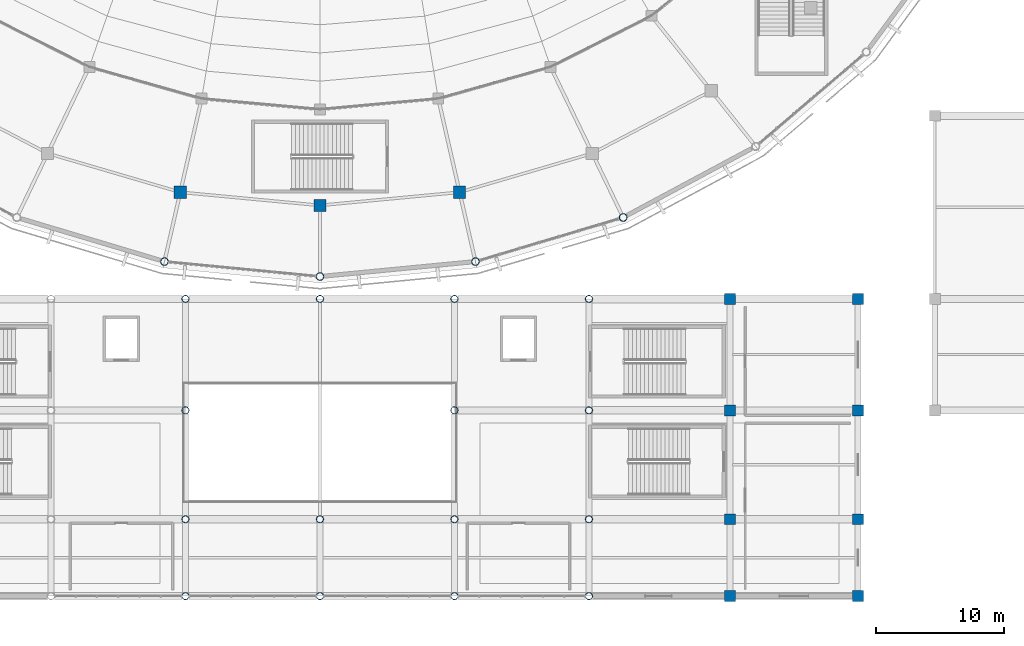
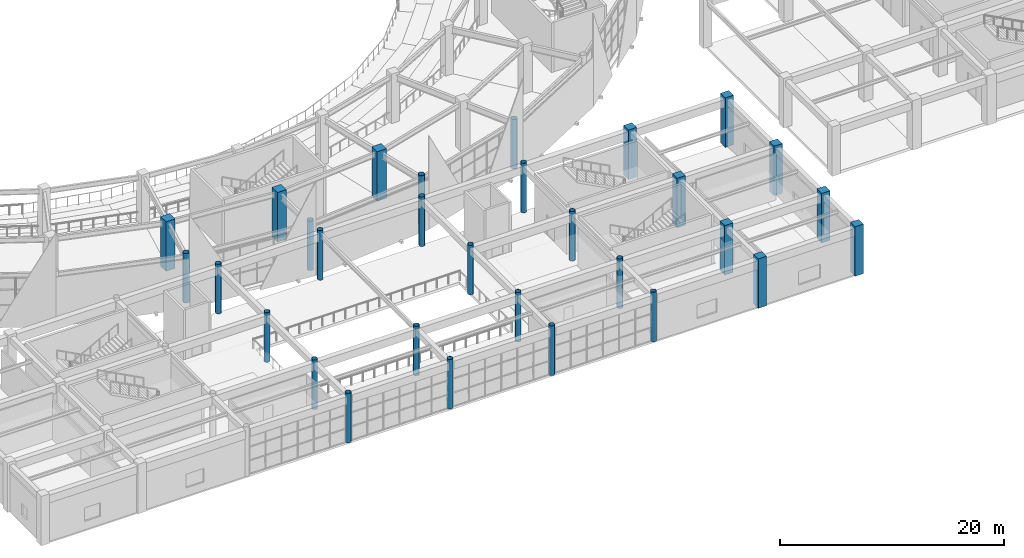
# One storey, part 4 of 120: 30 columns.
"""IFC4 building model written with IfcOpenShell, lengths in metres."""

from ifc_helpers import new_model, si_unit, direction, frame, origin, origin_2d, place, context, subcontext, project, spatial, rectangle, hollow_circle, extrude, material, material_profile, profile_set, type_object, element, save


model = new_model("IFC4")

# Units and contexts
model_context = context("Model", 3, precision=1e-05, world=origin(), true_north=direction((0.0, 1.0)))
body_context = subcontext(model_context, "Body", "Model", "MODEL_VIEW")
ifc_project = project(units=[si_unit("LENGTHUNIT", "METRE"), si_unit("AREAUNIT", "SQUARE_METRE"), si_unit("VOLUMEUNIT", "CUBIC_METRE"), si_unit("PLANEANGLEUNIT", "RADIAN"), si_unit("MASSUNIT", "GRAM", prefix="KILO")], contexts=[model_context])

# Site, building, storey
site_placement = place(None, origin())
site = spatial("IfcSite", under=ifc_project, at=site_placement, CompositionType="ELEMENT")
building_placement = place(site_placement, origin())
building = spatial("IfcBuilding", under=site, at=building_placement, Name="Cuetzalor Civic Arena", CompositionType="ELEMENT")
storey_placement = place(building_placement, frame((0.0, 0.0, 6.0)))
storey = spatial("IfcBuildingStorey", under=building, at=storey_placement, Name="L01", CompositionType="ELEMENT", Elevation=6.0)

# Columns
ifc_material_1 = material(Name="Concrete C40/50", Category="concrete")
ifc_material_profile_1 = material_profile(ifc_material_1, rectangle(XDim=0.85009765625, YDim=0.85009765625, at=origin_2d()), Name="RC 850x850")
ifc_profile_set_1 = profile_set([ifc_material_profile_1], Name="Concrete C40/50")
column_type_1 = type_object("IfcColumnType", Name="ConcreteColumn_850", PredefinedType="COLUMN", material=ifc_profile_set_1)
for number, where, z_axis, x_axis, name in (
    (1, (32.0, -71.5, 0.0), (0.0, 0.0, 1.0), (1.0, 0.0, 0.0), "Column V3-C-08-01 L01"),
    (2, (32.0, -65.5, 0.0), (0.0, 0.0, 1.0), (1.0, 0.0, 0.0), "Column V3-C-08-02 L01"),
    (3, (32.0, -57.0, 0.0), (0.0, 0.0, 1.0), (1.0, 0.0, 0.0), "Column V3-C-08-03 L01"),
    (4, (32.0, -48.300048828125, 0.0), (0.0, 0.0, 1.0), (1.0, 0.0, 0.0), "Column V3-C-08-04 L01"),
    (5, (42.0, -71.5, 0.0), (0.0, 0.0, 1.0), (1.0, 0.0, 0.0), "Column V3-C-09-01 L01"),
    (6, (42.0, -65.5, 0.0), (0.0, 0.0, 1.0), (1.0, 0.0, 0.0), "Column V3-C-09-02 L01"),
    (7, (42.0, -57.0, 0.0), (0.0, 0.0, 1.0), (1.0, 0.0, 0.0), "Column V3-C-09-03 L01"),
    (8, (42.0, -48.300048828125, 0.0), (0.0, 0.0, 1.0), (1.0, 0.0, 0.0), "Column V3-C-09-04 L01"),
):
    element("IfcColumn", number, at=place(storey_placement, frame(where, z_axis=z_axis, x_axis=x_axis)), inside=storey, type_object=column_type_1, Name=name, PredefinedType="COLUMN", context=body_context, shape_type="SweptSolid", body=[
        extrude(rectangle(XDim=0.85009765625, YDim=0.85009765625, at=origin_2d()), origin(), (0.0, 0.0, 1.0), 5.39990234375),
    ])
ifc_material_2 = material(Name="Concrete C40/50", Category="concrete")
ifc_material_profile_2 = material_profile(ifc_material_2, rectangle(XDim=0.949951171875, YDim=0.949951171875, at=origin_2d()), Name="RC 950x950")
ifc_profile_set_2 = profile_set([ifc_material_profile_2], Name="Concrete C40/50")
column_type_2 = type_object("IfcColumnType", Name="ConcreteColumn_950", PredefinedType="COLUMN", material=ifc_profile_set_2)
for number, where, z_axis, x_axis, name in (
    (9, (-10.903564453125, -39.971923828125, 0.0), (0.0, 0.0, 1.0), (1.0, 0.0, 0.0), "Column V1-REC-21 L01"),
    (10, (0.0, -41.0, 0.0), (0.0, 0.0, 1.0), (1.0, 0.0, 0.0), "Column V1-REC-22 L01"),
    (11, (10.903564453125, -39.971923828125, 0.0), (0.0, 0.0, 1.0), (1.0, 0.0, 0.0), "Column V1-REC-23 L01"),
):
    element("IfcColumn", number, at=place(storey_placement, frame(where, z_axis=z_axis, x_axis=x_axis)), inside=storey, type_object=column_type_2, Name=name, PredefinedType="COLUMN", context=body_context, shape_type="SweptSolid", body=[
        extrude(rectangle(XDim=0.949951171875, YDim=0.949951171875, at=origin_2d()), origin(), (0.0, 0.0, 1.0), 5.39990234375),
    ])
ifc_material_3 = material(Name="Steel S355", Category="steel")
ifc_material_profile_3 = material_profile(ifc_material_3, hollow_circle(Radius=0.304931640625, WallThickness=0.02490234375, at=origin_2d()), Name="CHS 610x25")
ifc_profile_set_3 = profile_set([ifc_material_profile_3], Name="Steel S355")
column_type_3 = type_object("IfcColumnType", Name="SteelDomePylon_CHS610", PredefinedType="COLUMN", material=ifc_profile_set_3)
for number, where, z_axis, x_axis, name in (
    (12, (-12.138427734375, -45.3828125, 0.0), (0.0, 0.0, 1.0), (1.0, 0.0, 0.0), "Column V1-PYL-21 L01"),
    (13, (0.0, -46.550048828125, 0.0), (0.0, 0.0, 1.0), (1.0, 0.0, 0.0), "Column V1-PYL-22 L01"),
    (14, (12.138427734375, -45.3828125, 0.0), (0.0, 0.0, 1.0), (1.0, 0.0, 0.0), "Column V1-PYL-23 L01"),
    (15, (23.66845703125, -41.940185546875, 0.0), (0.0, 0.0, 1.0), (1.0, 0.0, 0.0), "Column V1-PYL-24 L01"),
):
    element("IfcColumn", number, at=place(storey_placement, frame(where, z_axis=z_axis, x_axis=x_axis)), inside=storey, type_object=column_type_3, Name=name, PredefinedType="COLUMN", context=body_context, shape_type="SweptSolid", body=[
        extrude(hollow_circle(Radius=0.304931640625, WallThickness=0.02490234375, at=origin_2d()), origin(), (0.0, 0.0, 1.0), 5.39990234375),
    ])
ifc_material_4 = material(Name="Steel S355", Category="steel")
ifc_material_profile_4 = material_profile(ifc_material_4, hollow_circle(Radius=0.279541015625, WallThickness=0.02001953125, at=origin_2d()), Name="CHS 559x20")
ifc_profile_set_4 = profile_set([ifc_material_profile_4], Name="Steel S355")
column_type_4 = type_object("IfcColumnType", Name="SteelFoyerColumn_CHS559", PredefinedType="COLUMN", material=ifc_profile_set_4)
for number, where, z_axis, x_axis, name in (
    (16, (-10.5, -71.5, 0.0), (0.0, 0.0, 1.0), (1.0, 0.0, 0.0), "Column V3-C-04-01 L01"),
    (17, (-10.5, -65.5, 0.0), (0.0, 0.0, 1.0), (1.0, 0.0, 0.0), "Column V3-C-04-02 L01"),
    (18, (-10.5, -57.0, 0.0), (0.0, 0.0, 1.0), (1.0, 0.0, 0.0), "Column V3-C-04-03 L01"),
    (19, (-10.5, -48.300048828125, 0.0), (0.0, 0.0, 1.0), (1.0, 0.0, 0.0), "Column V3-C-04-04 L01"),
    (20, (0.0, -71.5, 0.0), (0.0, 0.0, 1.0), (1.0, 0.0, 0.0), "Column V3-C-05-01 L01"),
    (21, (0.0, -65.5, 0.0), (0.0, 0.0, 1.0), (1.0, 0.0, 0.0), "Column V3-C-05-02 L01"),
    (22, (0.0, -48.300048828125, 0.0), (0.0, 0.0, 1.0), (1.0, 0.0, 0.0), "Column V3-C-05-04 L01"),
    (23, (10.5, -71.5, 0.0), (0.0, 0.0, 1.0), (1.0, 0.0, 0.0), "Column V3-C-06-01 L01"),
    (24, (10.5, -65.5, 0.0), (0.0, 0.0, 1.0), (1.0, 0.0, 0.0), "Column V3-C-06-02 L01"),
    (25, (10.5, -57.0, 0.0), (0.0, 0.0, 1.0), (1.0, 0.0, 0.0), "Column V3-C-06-03 L01"),
    (26, (10.5, -48.300048828125, 0.0), (0.0, 0.0, 1.0), (1.0, 0.0, 0.0), "Column V3-C-06-04 L01"),
    (27, (21.0, -71.5, 0.0), (0.0, 0.0, 1.0), (1.0, 0.0, 0.0), "Column V3-C-07-01 L01"),
    (28, (21.0, -65.5, 0.0), (0.0, 0.0, 1.0), (1.0, 0.0, 0.0), "Column V3-C-07-02 L01"),
    (29, (21.0, -57.0, 0.0), (0.0, 0.0, 1.0), (1.0, 0.0, 0.0), "Column V3-C-07-03 L01"),
    (30, (21.0, -48.300048828125, 0.0), (0.0, 0.0, 1.0), (1.0, 0.0, 0.0), "Column V3-C-07-04 L01"),
):
    element("IfcColumn", number, at=place(storey_placement, frame(where, z_axis=z_axis, x_axis=x_axis)), inside=storey, type_object=column_type_4, Name=name, PredefinedType="COLUMN", context=body_context, shape_type="SweptSolid", body=[
        extrude(hollow_circle(Radius=0.279541015625, WallThickness=0.02001953125, at=origin_2d()), origin(), (0.0, 0.0, 1.0), 5.39990234375),
    ])

save(model, "model.ifc")
